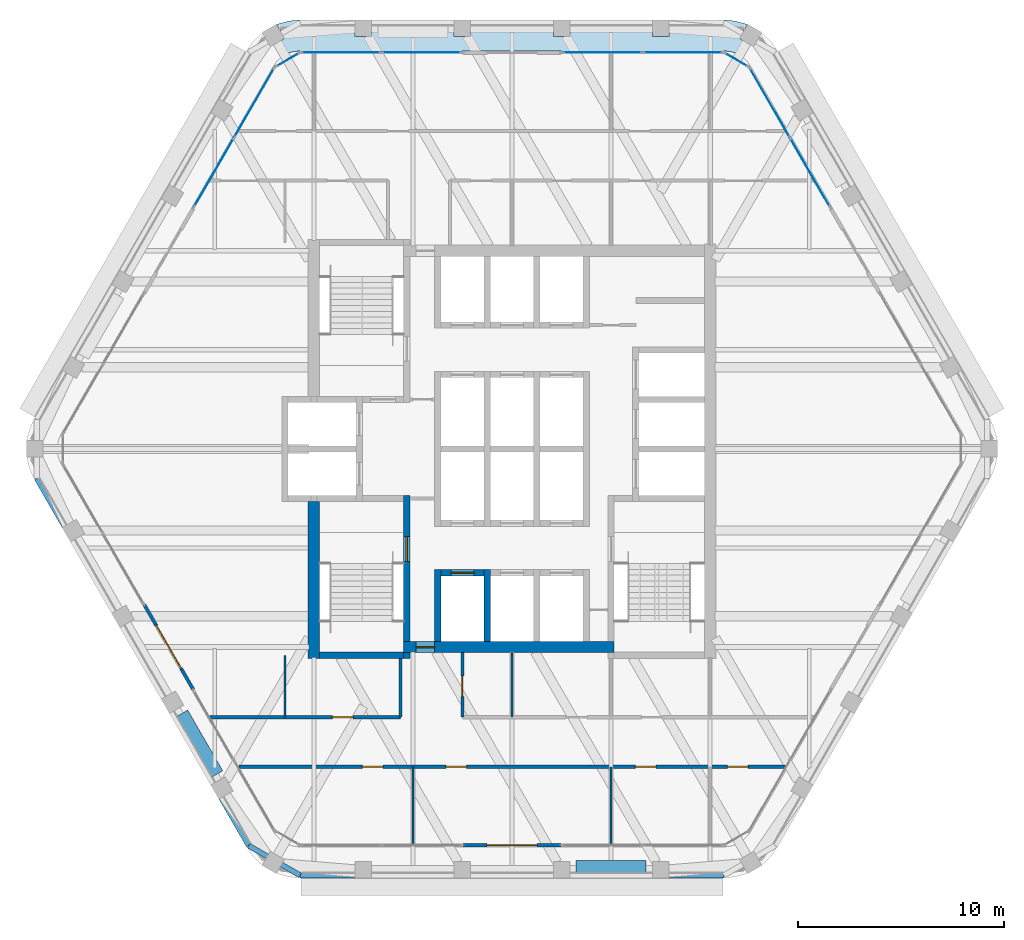
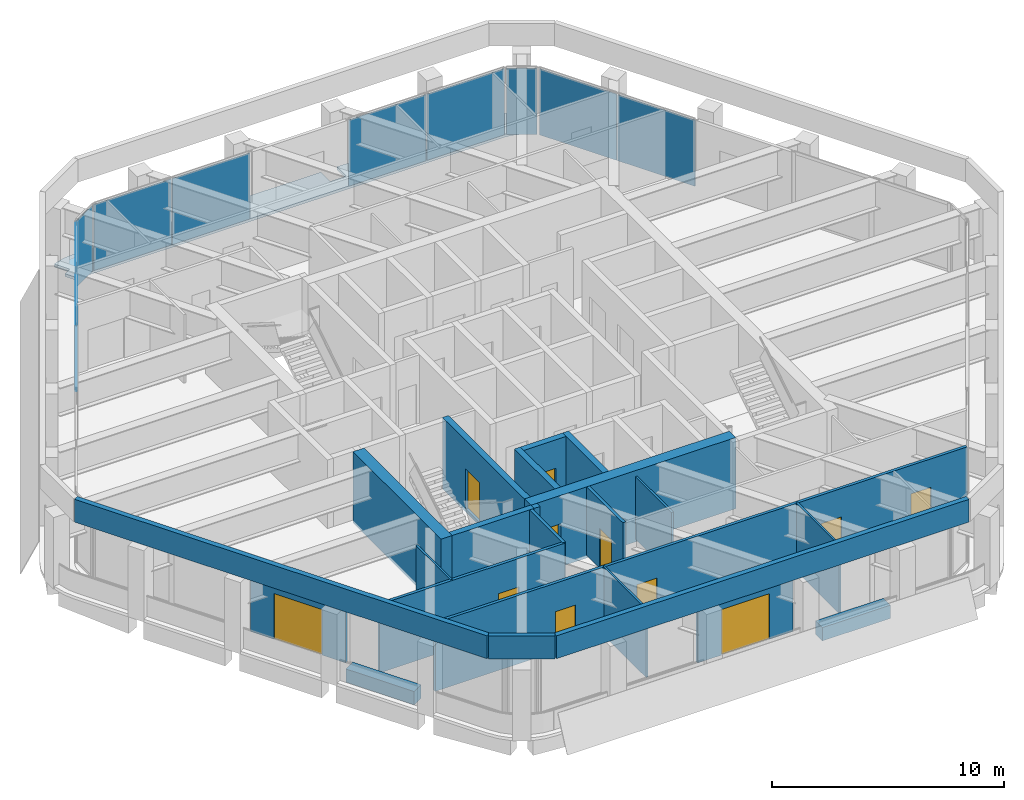
# One storey, part 7 of 14: 23 walls, 11 doors, 10 plates, 1 slab, 11 openings, 6 elements without a shape of their own.
"""IFC4 building model written with IfcOpenShell, lengths in metres."""

from ifc_helpers import new_model, si_unit, direction, frame, frame_2d, origin, origin_2d, place, context, subcontext, project, spatial, polyline, rectangle, outline, extrude, material, layer, layer_set, type_object, element, fill, aggregate, save


model = new_model("IFC4")

# Units and contexts
model_context = context("Model", 3, precision=1e-05, world=origin(), true_north=direction((0.0, 1.0)))
body_context = subcontext(model_context, "Body", "Model", "MODEL_VIEW")
ifc_project = project(units=[si_unit("LENGTHUNIT", "METRE"), si_unit("AREAUNIT", "SQUARE_METRE"), si_unit("VOLUMEUNIT", "CUBIC_METRE"), si_unit("PLANEANGLEUNIT", "RADIAN"), si_unit("MASSUNIT", "GRAM", prefix="KILO")], contexts=[model_context])

# Site, building, storey
site_placement = place(None, origin())
site = spatial("IfcSite", under=ifc_project, at=site_placement, CompositionType="ELEMENT")
building_placement = place(site_placement, origin())
building = spatial("IfcBuilding", under=site, at=building_placement, Name="Kolab Exchange Tower", CompositionType="ELEMENT")
storey_placement = place(building_placement, frame((0.0, 0.0, 293.0)))
storey = spatial("IfcBuildingStorey", under=building, at=storey_placement, Name="L66", CompositionType="ELEMENT", Elevation=293.0)

# Slab
ifc_material_1 = material(Name="Concrete C35/45", Category="concrete")
ifc_layer_1 = layer(ifc_material_1, 0.14990234375)
ifc_layer_set_1 = layer_set([ifc_layer_1], Name="Concrete C35/45")
slab_type = type_object("IfcSlabType", Name="LOGGIA SLAB 150", PredefinedType="FLOOR", material=ifc_layer_set_1)
slab_placement = place(storey_placement, frame((0.0, 0.0, -0.14990234375)))
element("IfcSlab", 1, at=slab_placement, inside=storey, type_object=slab_type, Name="slab/L66/loggia/0-0", PredefinedType="FLOOR", context=body_context, shape_type="SweptSolid", body=[
    extrude(outline(polyline([(11.01806640625, 19.083740234375), (11.367919921875, 19.68994140625), (11.021484375, 19.889892578125), (11.404052734375, 20.552490234375), (11.2939453125, 20.603759765625), (10.788818359375, 20.739013671875), (10.26806640625, 20.78466796875), (7.60009765625, 20.78466796875), (7.60009765625, 19.984619140625), (6.800048828125, 19.984619140625), (6.800048828125, 20.78466796875), (2.800048828125, 20.78466796875), (2.800048828125, 19.984619140625), (2.0, 19.984619140625), (2.0, 20.78466796875), (-2.0, 20.78466796875), (-2.0, 19.984619140625), (-2.800048828125, 19.984619140625), (-2.800048828125, 20.78466796875), (-6.800048828125, 20.78466796875), (-6.800048828125, 19.984619140625), (-7.60009765625, 19.984619140625), (-7.60009765625, 20.78466796875), (-10.26806640625, 20.78466796875), (-10.788818359375, 20.739013671875), (-11.2939453125, 20.603759765625), (-11.404052734375, 20.552490234375), (-11.021484375, 19.889892578125), (-11.367919921875, 19.68994140625), (-11.01806640625, 19.083740234375), (-10.781005859375, 19.194091796875), (-10.5283203125, 19.26171875), (-10.26806640625, 19.28466796875), (10.26806640625, 19.28466796875), (10.5283203125, 19.26171875), (10.781005859375, 19.194091796875), (11.01806640625, 19.083740234375)])), origin(), (0.0, 0.0, 1.0), 0.14990234375),
])

# Curtain wall, plates
ifc_material_2 = material(Name="Aluminium EN AW-6063 T6", Category="aluminium")
curtain_wall_type = type_object("IfcCurtainWallType", Name="UNITISED HIGH ZONE CURTAIN WALL", PredefinedType="NOTDEFINED", material=ifc_material_2)
curtain_wall_1_placement = place(storey_placement, origin())
curtain_wall_1 = element("IfcCurtainWall", 2, at=curtain_wall_1_placement, inside=storey, type_object=curtain_wall_type, Name="cw/L66/F1-1", PredefinedType="NOTDEFINED")
ifc_material_3 = material(Name="Clear insulated glazing unit", Category="glass")
ifc_layer_2 = layer(ifc_material_3, 0.030029296875)
ifc_layer_set_2 = layer_set([ifc_layer_2], Name="Clear insulated glazing unit")
plate_type = type_object("IfcPlateType", Name="UNITISED HIGH ZONE GLASS PANEL 30", PredefinedType="CURTAIN_PANEL", material=ifc_layer_set_2)
plate_1_placement = place(storey_placement, frame((-8.285888671875, 19.20458984375, 0.06005859375), z_axis=(0.0, 0.0, 1.0), x_axis=(1.0, 0.0, 0.0)))
plate_1 = element("IfcPlate", 3, at=plate_1_placement, type_object=plate_type, Name="CW4 panel 1.1", PredefinedType="CURTAIN_PANEL", context=body_context, shape_type="SweptSolid", body=[
    extrude(rectangle(XDim=3.843994140625, YDim=0.030029296875, at=origin_2d()), origin(), (0.0, 0.0, 1.0), 3.47998046875),
])
plate_2_placement = place(storey_placement, frame((-4.382080078125, 19.20458984375, 0.06005859375), z_axis=(0.0, 0.0, 1.0), x_axis=(1.0, 0.0, 0.0)))
plate_2 = element("IfcPlate", 4, at=plate_2_placement, type_object=plate_type, Name="CW4 panel 2.1", PredefinedType="CURTAIN_PANEL", context=body_context, shape_type="SweptSolid", body=[
    extrude(rectangle(XDim=3.843994140625, YDim=0.030029296875, at=origin_2d()), origin(), (0.0, 0.0, 1.0), 3.47998046875),
])
aggregate(curtain_wall_1, [plate_1, plate_2])

curtain_wall_2_placement = place(storey_placement, origin())
curtain_wall_2 = element("IfcCurtainWall", 5, at=curtain_wall_2_placement, inside=storey, type_object=curtain_wall_type, Name="cw/L66/F1-2", PredefinedType="NOTDEFINED")
plate_3_placement = place(storey_placement, frame((4.382080078125, 19.20458984375, 0.06005859375), z_axis=(0.0, 0.0, 1.0), x_axis=(1.0, 0.0, 0.0)))
plate_3 = element("IfcPlate", 6, at=plate_3_placement, type_object=plate_type, Name="CW4 panel 1.1", PredefinedType="CURTAIN_PANEL", context=body_context, shape_type="SweptSolid", body=[
    extrude(rectangle(XDim=3.843994140625, YDim=0.030029296875, at=origin_2d()), origin(), (0.0, 0.0, 1.0), 3.47998046875),
])
plate_4_placement = place(storey_placement, frame((8.285888671875, 19.20458984375, 0.06005859375), z_axis=(0.0, 0.0, 1.0), x_axis=(1.0, 0.0, 0.0)))
plate_4 = element("IfcPlate", 7, at=plate_4_placement, type_object=plate_type, Name="CW4 panel 2.1", PredefinedType="CURTAIN_PANEL", context=body_context, shape_type="SweptSolid", body=[
    extrude(rectangle(XDim=3.843994140625, YDim=0.030029296875, at=origin_2d()), origin(), (0.0, 0.0, 1.0), 3.47998046875),
])
aggregate(curtain_wall_2, [plate_3, plate_4])

curtain_wall_3_placement = place(storey_placement, origin())
curtain_wall_3 = element("IfcCurtainWall", 8, at=curtain_wall_3_placement, inside=storey, type_object=curtain_wall_type, Name="cw/L66/F2-1", PredefinedType="NOTDEFINED")
plate_5_placement = place(storey_placement, frame((12.48876953125, 16.778076171875, 0.06005859375), z_axis=(0.0, 0.0, 1.0), x_axis=(0.500000031681, -0.866025385493, 0.0)))
plate_5 = element("IfcPlate", 9, at=plate_5_placement, type_object=plate_type, Name="CW4 panel 1.1", PredefinedType="CURTAIN_PANEL", context=body_context, shape_type="SweptSolid", body=[
    extrude(rectangle(XDim=3.843994140625, YDim=0.030029296875, at=origin_2d()), origin(), (0.0, 0.0, 1.0), 3.47998046875),
])
plate_6_placement = place(storey_placement, frame((14.440673828125, 13.397216796875, 0.06005859375), z_axis=(0.0, 0.0, 1.0), x_axis=(0.500000031681, -0.866025385493, 0.0)))
plate_6 = element("IfcPlate", 10, at=plate_6_placement, type_object=plate_type, Name="CW4 panel 2.1", PredefinedType="CURTAIN_PANEL", context=body_context, shape_type="SweptSolid", body=[
    extrude(rectangle(XDim=3.843994140625, YDim=0.030029296875, at=origin_2d()), origin(), (0.0, 0.0, 1.0), 3.47998046875),
])
aggregate(curtain_wall_3, [plate_5, plate_6])

curtain_wall_4_placement = place(storey_placement, origin())
curtain_wall_4 = element("IfcCurtainWall", 11, at=curtain_wall_4_placement, inside=storey, type_object=curtain_wall_type, Name="cw/L66/F6-2", PredefinedType="NOTDEFINED")
plate_7_placement = place(storey_placement, frame((-14.440673828125, 13.397216796875, 0.06005859375), z_axis=(0.0, 0.0, 1.0), x_axis=(0.500000031681, 0.866025385493, 0.0)))
plate_7 = element("IfcPlate", 12, at=plate_7_placement, type_object=plate_type, Name="CW4 panel 1.1", PredefinedType="CURTAIN_PANEL", context=body_context, shape_type="SweptSolid", body=[
    extrude(rectangle(XDim=3.843994140625, YDim=0.030029296875, at=origin_2d()), origin(), (0.0, 0.0, 1.0), 3.47998046875),
])
plate_8_placement = place(storey_placement, frame((-12.48876953125, 16.778076171875, 0.06005859375), z_axis=(0.0, 0.0, 1.0), x_axis=(0.500000031681, 0.866025385493, 0.0)))
plate_8 = element("IfcPlate", 13, at=plate_8_placement, type_object=plate_type, Name="CW4 panel 2.1", PredefinedType="CURTAIN_PANEL", context=body_context, shape_type="SweptSolid", body=[
    extrude(rectangle(XDim=3.843994140625, YDim=0.030029296875, at=origin_2d()), origin(), (0.0, 0.0, 1.0), 3.47998046875),
])
aggregate(curtain_wall_4, [plate_7, plate_8])

# Curtain wall, plate
curtain_wall_5_placement = place(storey_placement, origin())
curtain_wall_5 = element("IfcCurtainWall", 14, at=curtain_wall_5_placement, inside=storey, type_object=curtain_wall_type, Name="cw/L66/F1F2-corner", PredefinedType="NOTDEFINED")
plate_9_placement = place(storey_placement, frame((10.8828125, 18.849609375, 0.06005859375), z_axis=(0.0, 0.0, 1.0), x_axis=(0.866025390869, -0.50000002237, 0.0)))
plate_9 = element("IfcPlate", 15, at=plate_9_placement, type_object=plate_type, Name="CW4 panel 1.1", PredefinedType="CURTAIN_PANEL", context=body_context, shape_type="SweptSolid", body=[
    extrude(rectangle(XDim=1.300048828125, YDim=0.030029296875, at=origin_2d()), origin(), (0.0, 0.0, 1.0), 3.47998046875),
])
aggregate(curtain_wall_5, [plate_9])

curtain_wall_6_placement = place(storey_placement, origin())
curtain_wall_6 = element("IfcCurtainWall", 16, at=curtain_wall_6_placement, inside=storey, type_object=curtain_wall_type, Name="cw/L66/F6F1-corner", PredefinedType="NOTDEFINED")
plate_10_placement = place(storey_placement, frame((-10.8828125, 18.849609375, 0.06005859375), z_axis=(0.0, 0.0, 1.0), x_axis=(0.866025390869, 0.50000002237, 0.0)))
plate_10 = element("IfcPlate", 17, at=plate_10_placement, type_object=plate_type, Name="CW4 panel 1.1", PredefinedType="CURTAIN_PANEL", context=body_context, shape_type="SweptSolid", body=[
    extrude(rectangle(XDim=1.300048828125, YDim=0.030029296875, at=origin_2d()), origin(), (0.0, 0.0, 1.0), 3.47998046875),
])
aggregate(curtain_wall_6, [plate_10])

# Wall, opening, door
ifc_material_4 = material(Name="Concrete C50/60", Category="concrete")
ifc_layer_3 = layer(ifc_material_4, 0.550048828125)
ifc_layer_set_3 = layer_set([ifc_layer_3], Name="Concrete C50/60")
wall_type_1 = type_object("IfcWallType", Name="CORE WALL 550 C50/60", PredefinedType="SHEAR", material=ifc_layer_set_3)
wall_1_placement = place(storey_placement, frame((-5.25, -9.60009765625, -0.14990234375), z_axis=(0.0, 0.0, 1.0), x_axis=(1.0, 0.0, 0.0)))
wall_1 = element("IfcWall", 18, at=wall_1_placement, inside=storey, type_object=wall_type_1, Name="wall/L66/core/002", PredefinedType="SHEAR", context=body_context, shape_type="SweptSolid", body=[
    extrude(rectangle(XDim=10.199951171875, YDim=0.550048828125, at=frame_2d((5.10009765625, 0.0))), origin(), (0.0, 0.0, 1.0), 3.75),
])
opening_1_placement = place(wall_1_placement, frame((0.60009765625, 0.0, 0.14990234375)))
opening_1 = element("IfcOpeningElement", 19, at=opening_1_placement, cuts=wall_1, Name="Opening D6-299", PredefinedType="OPENING", context=body_context, shape_type="SweptSolid", body=[
    extrude(rectangle(XDim=0.89990234375, YDim=2.10009765625, at=frame_2d((0.449951171875, 1.050048828125))), frame((0.0, 0.28515625, 0.0), z_axis=(0.0, -1.0, 0.0), x_axis=(1.0, 0.0, 0.0)), (0.0, 0.0, 1.0), 0.570068359375),
])
ifc_material_5 = material(Name="Steel S235", Category="steel")
door_type_1 = type_object("IfcDoorType", Name="CORE DOOR 900 EI 120", OperationType="SINGLE_SWING_LEFT", PredefinedType="DOOR", material=ifc_material_5)
door_1_placement = place(opening_1_placement, origin())
door_1 = element("IfcDoor", 20, at=door_1_placement, inside=storey, type_object=door_type_1, Name="Core lobby door", OperationType="SINGLE_SWING_RIGHT", OverallHeight=2.10009765625, OverallWidth=0.89990234375, PredefinedType="DOOR", context=body_context, shape_type="SweptSolid", body=[
    extrude(rectangle(XDim=0.89990234375, YDim=2.10009765625, at=frame_2d((0.449951171875, 1.050048828125))), frame((0.0, 0.02490234375, 0.0), z_axis=(0.0, -1.0, 0.0), x_axis=(1.0, 0.0, 0.0)), (0.0, 0.0, 1.0), 0.050048828125),
])
fill(opening_1, door_1)

# Wall
wall_2_placement = place(storey_placement, frame((-9.60009765625, -10.14990234375, -0.14990234375), z_axis=(0.0, 0.0, 1.0), x_axis=(0.0, 1.0, 0.0)))
element("IfcWall", 21, at=wall_2_placement, inside=storey, type_object=wall_type_1, Name="wall/L66/core/034", PredefinedType="SHEAR", context=body_context, shape_type="SweptSolid", body=[
    extrude(rectangle(XDim=7.599853515625, YDim=0.550048828125, at=frame_2d((3.7998046875, 0.0))), origin(), (0.0, 0.0, 1.0), 3.75),
])

# Wall, opening, door
ifc_layer_4 = layer(ifc_material_2, 0.159912109375)
ifc_layer_set_4 = layer_set([ifc_layer_4], Name="Aluminium EN AW-6063 T6")
wall_type_2 = type_object("IfcWallType", Name="DOOR SURROUND WALL 160 ALUMINIUM FRAMED", PredefinedType="PARTITIONING", material=ifc_layer_set_4)
wall_3_placement = place(storey_placement, frame((2.3701171875, -19.20458984375, 0.0), z_axis=(0.0, 0.0, 1.0), x_axis=(-1.0, 0.0, 0.0)))
wall_3 = element("IfcWall", 22, at=wall_3_placement, inside=storey, type_object=wall_type_2, Name="Door surround wall", PredefinedType="PARTITIONING", context=body_context, shape_type="SweptSolid", body=[
    extrude(rectangle(XDim=4.740234375, YDim=0.159912109375, at=frame_2d((2.3701171875, 0.0))), origin(), (0.0, 0.0, 1.0), 3.60009765625),
])
opening_2_placement = place(wall_3_placement, frame((1.169921875, 0.0, 0.0)))
opening_2 = element("IfcOpeningElement", 23, at=opening_2_placement, cuts=wall_3, Name="Opening GD1-101", PredefinedType="OPENING", context=body_context, shape_type="SweptSolid", body=[
    extrude(rectangle(XDim=2.39990234375, YDim=2.39990234375, at=frame_2d((1.199951171875, 1.199951171875))), frame((0.0, 0.08984375, 0.0), z_axis=(0.0, -1.0, 0.0), x_axis=(1.0, 0.0, 0.0)), (0.0, 0.0, 1.0), 0.179931640625),
])
door_type_2 = type_object("IfcDoorType", Name="LOGGIA SLIDING GLASS DOOR 2400 X 2400", OperationType="DOUBLE_DOOR_SINGLE_SWING", PredefinedType="DOOR", material=ifc_material_2)
door_2_placement = place(opening_2_placement, origin())
door_2 = element("IfcDoor", 24, at=door_2_placement, inside=storey, type_object=door_type_2, Name="Loggia door", OperationType="DOUBLE_DOOR_SLIDING", OverallHeight=2.39990234375, OverallWidth=2.39990234375, PredefinedType="DOOR", context=body_context, shape_type="SweptSolid", body=[
    extrude(rectangle(XDim=2.39990234375, YDim=2.39990234375, at=frame_2d((1.199951171875, 1.199951171875))), frame((0.0, 0.02490234375, 0.0), z_axis=(0.0, -1.0, 0.0), x_axis=(1.0, 0.0, 0.0)), (0.0, 0.0, 1.0), 0.050048828125),
])
fill(opening_2, door_2)

wall_4_placement = place(storey_placement, frame((-15.44677734375, -11.65478515625, 0.0), z_axis=(0.0, 0.0, 1.0), x_axis=(-0.499978080042, 0.866038058908, 0.0)))
wall_4 = element("IfcWall", 25, at=wall_4_placement, inside=storey, type_object=wall_type_2, Name="Door surround wall", PredefinedType="PARTITIONING", context=body_context, shape_type="SweptSolid", body=[
    extrude(rectangle(XDim=4.739990234375, YDim=0.159912109375, at=frame_2d((2.3701171875, 0.0))), origin(), (0.0, 0.0, 1.0), 3.60009765625),
])
opening_3_placement = place(wall_4_placement, frame((1.169921875, 0.0, 0.0)))
opening_3 = element("IfcOpeningElement", 26, at=opening_3_placement, cuts=wall_4, Name="Opening GD1-105", PredefinedType="OPENING", context=body_context, shape_type="SweptSolid", body=[
    extrude(rectangle(XDim=2.39990234375, YDim=2.39990234375, at=frame_2d((1.199951171875, 1.199951171875))), frame((0.0, 0.08984375, 0.0), z_axis=(0.0, -1.0, 0.0), x_axis=(1.0, 0.0, 0.0)), (0.0, 0.0, 1.0), 0.179931640625),
])
door_3_placement = place(opening_3_placement, origin())
door_3 = element("IfcDoor", 27, at=door_3_placement, inside=storey, type_object=door_type_2, Name="Loggia door", OperationType="DOUBLE_DOOR_SLIDING", OverallHeight=2.39990234375, OverallWidth=2.39990234375, PredefinedType="DOOR", context=body_context, shape_type="SweptSolid", body=[
    extrude(rectangle(XDim=2.39990234375, YDim=2.39990234375, at=frame_2d((1.199951171875, 1.199951171875))), frame((0.0, 0.02490234375, 0.0), z_axis=(0.0, -1.0, 0.0), x_axis=(1.0, 0.0, 0.0)), (0.0, 0.0, 1.0), 0.050048828125),
])
fill(opening_3, door_3)

ifc_layer_5 = layer(ifc_material_4, 0.300048828125)
ifc_layer_set_5 = layer_set([ifc_layer_5], Name="Concrete C50/60")
wall_type_3 = type_object("IfcWallType", Name="LIFT SHAFT WALL 300 C50/60", PredefinedType="STANDARD", material=ifc_layer_set_5)
wall_5_placement = place(storey_placement, frame((-3.449951171875, -6.0, -0.14990234375), z_axis=(0.0, 0.0, 1.0), x_axis=(1.0, 0.0, 0.0)))
wall_5 = element("IfcWall", 28, at=wall_5_placement, inside=storey, type_object=wall_type_3, Name="wall/L66/core/003", PredefinedType="STANDARD", context=body_context, shape_type="SweptSolid", body=[
    extrude(rectangle(XDim=2.099853515625, YDim=0.300048828125, at=frame_2d((1.0498046875, 0.0))), origin(), (0.0, 0.0, 1.0), 3.75),
])
opening_4_placement = place(wall_5_placement, frame((0.5, 0.0, 0.14990234375)))
opening_4 = element("IfcOpeningElement", 29, at=opening_4_placement, cuts=wall_5, Name="Opening LD1-122", PredefinedType="OPENING", context=body_context, shape_type="SweptSolid", body=[
    extrude(rectangle(XDim=1.10009765625, YDim=2.10009765625, at=frame_2d((0.550048828125, 1.050048828125))), frame((0.0, 0.16015625, 0.0), z_axis=(0.0, -1.0, 0.0), x_axis=(1.0, 0.0, 0.0)), (0.0, 0.0, 1.0), 0.320068359375),
])
ifc_material_6 = material(Name="Stainless steel 316", Category="steel")
door_type_3 = type_object("IfcDoorType", Name="LANDING DOOR 1100 PASSENGER", OperationType="DOUBLE_DOOR_SLIDING", PredefinedType="DOOR", material=ifc_material_6)
door_4_placement = place(opening_4_placement, origin())
door_4 = element("IfcDoor", 30, at=door_4_placement, inside=storey, type_object=door_type_3, Name="Landing door HR10", OperationType="DOUBLE_DOOR_SLIDING", OverallHeight=2.10009765625, OverallWidth=1.10009765625, PredefinedType="DOOR", context=body_context, shape_type="SweptSolid", body=[
    extrude(rectangle(XDim=1.10009765625, YDim=2.10009765625, at=frame_2d((0.550048828125, 1.050048828125))), frame((0.0, 0.02490234375, 0.0), z_axis=(0.0, -1.0, 0.0), x_axis=(1.0, 0.0, 0.0)), (0.0, 0.0, 1.0), 0.050048828125),
])
fill(opening_4, door_4)

# Walls
for number, where, z_axis, x_axis, name in (
    (31, (-3.60009765625, -9.324951171875, -0.14990234375), (0.0, 0.0, 1.0), (0.0, 1.0, 0.0), "wall/L66/core/043"),
    (32, (-1.199951171875, -9.324951171875, -0.14990234375), (0.0, 0.0, 1.0), (0.0, 1.0, 0.0), "wall/L66/core/046"),
):
    element("IfcWall", number, at=place(storey_placement, frame(where, z_axis=z_axis, x_axis=x_axis)), inside=storey, type_object=wall_type_3, Name=name, PredefinedType="STANDARD", context=body_context, shape_type="SweptSolid", body=[
        extrude(rectangle(XDim=3.474853515625, YDim=0.300048828125, at=frame_2d((1.7373046875, 0.0))), origin(), (0.0, 0.0, 1.0), 3.75),
    ])
ifc_material_7 = material(Name="Gypsum board", Category="gypsum")
ifc_layer_6 = layer(ifc_material_7, 0.10009765625)
ifc_layer_set_6 = layer_set([ifc_layer_6], Name="Gypsum board")
wall_type_4 = type_object("IfcWallType", Name="PARTITION 100", PredefinedType="PARTITIONING", material=ifc_layer_set_6)
wall_6_placement = place(storey_placement, frame((4.800048828125, -19.114501953125, 0.0), z_axis=(0.0, 0.0, 1.0), x_axis=(0.0, 1.0, 0.0)))
element("IfcWall", 33, at=wall_6_placement, inside=storey, type_object=wall_type_4, Name="Partition 004", PredefinedType="PARTITIONING", context=body_context, shape_type="SweptSolid", body=[
    extrude(rectangle(XDim=3.714599609375, YDim=0.10009765625, at=frame_2d((1.857421875, 0.0))), origin(), (0.0, 0.0, 1.0), 3.60009765625),
])
wall_7_placement = place(storey_placement, frame((0.0, -13.0, 0.0), z_axis=(0.0, 0.0, 1.0), x_axis=(0.0, 1.0, 0.0)))
element("IfcWall", 34, at=wall_7_placement, inside=storey, type_object=wall_type_4, Name="Partition 008", PredefinedType="PARTITIONING", context=body_context, shape_type="SweptSolid", body=[
    extrude(rectangle(XDim=3.125, YDim=0.10009765625, at=frame_2d((1.5625, 0.0))), origin(), (0.0, 0.0, 1.0), 3.2900390625),
])
wall_8_placement = place(storey_placement, frame((-4.800048828125, -19.114501953125, 0.0), z_axis=(0.0, 0.0, 1.0), x_axis=(0.0, 1.0, 0.0)))
element("IfcWall", 35, at=wall_8_placement, inside=storey, type_object=wall_type_4, Name="Partition 012", PredefinedType="PARTITIONING", context=body_context, shape_type="SweptSolid", body=[
    extrude(rectangle(XDim=3.714599609375, YDim=0.10009765625, at=frame_2d((1.857421875, 0.0))), origin(), (0.0, 0.0, 1.0), 3.60009765625),
])
wall_9_placement = place(storey_placement, frame((-11.0, -13.0, 0.0), z_axis=(0.0, 0.0, 1.0), x_axis=(0.0, 1.0, 0.0)))
element("IfcWall", 36, at=wall_9_placement, inside=storey, type_object=wall_type_4, Name="Partition 016", PredefinedType="PARTITIONING", context=body_context, shape_type="SweptSolid", body=[
    extrude(rectangle(XDim=3.0, YDim=0.10009765625, at=frame_2d((1.5, 0.0))), origin(), (0.0, 0.0, 1.0), 3.60009765625),
])

# Wall, opening, door
ifc_layer_7 = layer(ifc_material_7, 0.14990234375)
ifc_layer_set_7 = layer_set([ifc_layer_7], Name="Gypsum board")
wall_type_5 = type_object("IfcWallType", Name="PARTITION 150 FIRE-RATED", PredefinedType="PARTITIONING", material=ifc_layer_set_7)
wall_10_placement = place(storey_placement, frame((-2.39990234375, -13.0, 0.0), z_axis=(0.0, 0.0, 1.0), x_axis=(0.0, 1.0, 0.0)))
wall_10 = element("IfcWall", 37, at=wall_10_placement, inside=storey, type_object=wall_type_5, Name="Partition 010", PredefinedType="PARTITIONING", context=body_context, shape_type="SweptSolid", body=[
    extrude(rectangle(XDim=3.125, YDim=0.14990234375, at=frame_2d((1.5625, 0.0))), origin(), (0.0, 0.0, 1.0), 3.60009765625),
])
opening_5_placement = place(wall_10_placement, frame((1.0, 0.0, 0.0)))
opening_5 = element("IfcOpeningElement", 38, at=opening_5_placement, cuts=wall_10, Name="Opening D1-769", PredefinedType="OPENING", context=body_context, shape_type="SweptSolid", body=[
    extrude(rectangle(XDim=1.0, YDim=2.10009765625, at=frame_2d((0.5, 1.050048828125))), frame((0.0, 0.0849609375, 0.0), z_axis=(0.0, -1.0, 0.0), x_axis=(1.0, 0.0, 0.0)), (0.0, 0.0, 1.0), 0.169921875),
])
door_type_4 = type_object("IfcDoorType", Name="FLUSH DOOR 1000 FD60", OperationType="SINGLE_SWING_LEFT", PredefinedType="DOOR", material=ifc_material_5)
door_5_placement = place(opening_5_placement, frame((1.0, 0.0, 0.0), z_axis=(0.0, 0.0, 1.0), x_axis=(-1.0, 0.0, 0.0)))
door_5 = element("IfcDoor", 39, at=door_5_placement, inside=storey, type_object=door_type_4, Name="Door L66-035", OperationType="SINGLE_SWING_LEFT", OverallHeight=2.10009765625, OverallWidth=1.0, PredefinedType="DOOR", context=body_context, shape_type="SweptSolid", body=[
    extrude(rectangle(XDim=1.0, YDim=2.10009765625, at=frame_2d((0.5, 1.050048828125))), frame((0.0, 0.02490234375, 0.0), z_axis=(0.0, -1.0, 0.0), x_axis=(1.0, 0.0, 0.0)), (0.0, 0.0, 1.0), 0.050048828125),
])
fill(opening_5, door_5)

# Wall
wall_11_placement = place(storey_placement, frame((-5.39990234375, -13.0, 0.0), z_axis=(0.0, 0.0, 1.0), x_axis=(0.0, 1.0, 0.0)))
element("IfcWall", 40, at=wall_11_placement, inside=storey, type_object=wall_type_5, Name="Partition 013", PredefinedType="PARTITIONING", context=body_context, shape_type="SweptSolid", body=[
    extrude(rectangle(XDim=2.85009765625, YDim=0.14990234375, at=frame_2d((1.425048828125, 0.0))), origin(), (0.0, 0.0, 1.0), 3.60009765625),
])

# Wall, openings, doors
wall_12_placement = place(storey_placement, frame((-13.23828125, -15.39990234375, 0.0), z_axis=(0.0, 0.0, 1.0), x_axis=(1.0, 0.0, 0.0)))
wall_12 = element("IfcWall", 41, at=wall_12_placement, inside=storey, type_object=wall_type_5, Name="Partition 018", PredefinedType="PARTITIONING", context=body_context, shape_type="SweptSolid", body=[
    extrude(rectangle(XDim=26.4765625, YDim=0.14990234375, at=frame_2d((13.23828125, 0.0))), origin(), (0.0, 0.0, 1.0), 3.60009765625),
])
opening_6_placement = place(wall_12_placement, frame((5.98681640625, 0.0, 0.0)))
opening_6 = element("IfcOpeningElement", 42, at=opening_6_placement, cuts=wall_12, Name="Opening D1-777", PredefinedType="OPENING", context=body_context, shape_type="SweptSolid", body=[
    extrude(rectangle(XDim=1.0, YDim=2.10009765625, at=frame_2d((0.5, 1.050048828125))), frame((0.0, 0.0849609375, 0.0), z_axis=(0.0, -1.0, 0.0), x_axis=(1.0, 0.0, 0.0)), (0.0, 0.0, 1.0), 0.169921875),
])
opening_7_placement = place(wall_12_placement, frame((10.043212890625, 0.0, 0.0)))
opening_7 = element("IfcOpeningElement", 43, at=opening_7_placement, cuts=wall_12, Name="Opening D1-778", PredefinedType="OPENING", context=body_context, shape_type="SweptSolid", body=[
    extrude(rectangle(XDim=1.0, YDim=2.10009765625, at=frame_2d((0.5, 1.050048828125))), frame((0.0, 0.0849609375, 0.0), z_axis=(0.0, -1.0, 0.0), x_axis=(1.0, 0.0, 0.0)), (0.0, 0.0, 1.0), 0.169921875),
])
opening_8_placement = place(wall_12_placement, frame((19.213134765625, 0.0, 0.0)))
opening_8 = element("IfcOpeningElement", 44, at=opening_8_placement, cuts=wall_12, Name="Opening D1-779", PredefinedType="OPENING", context=body_context, shape_type="SweptSolid", body=[
    extrude(rectangle(XDim=1.0, YDim=2.10009765625, at=frame_2d((0.5, 1.050048828125))), frame((0.0, 0.0849609375, 0.0), z_axis=(0.0, -1.0, 0.0), x_axis=(1.0, 0.0, 0.0)), (0.0, 0.0, 1.0), 0.169921875),
])
opening_9_placement = place(wall_12_placement, frame((23.682373046875, 0.0, 0.0)))
opening_9 = element("IfcOpeningElement", 45, at=opening_9_placement, cuts=wall_12, Name="Opening D1-780", PredefinedType="OPENING", context=body_context, shape_type="SweptSolid", body=[
    extrude(rectangle(XDim=1.0, YDim=2.10009765625, at=frame_2d((0.5, 1.050048828125))), frame((0.0, 0.0849609375, 0.0), z_axis=(0.0, -1.0, 0.0), x_axis=(1.0, 0.0, 0.0)), (0.0, 0.0, 1.0), 0.169921875),
])
door_6_placement = place(opening_6_placement, frame((1.0, 0.0, 0.0), z_axis=(0.0, 0.0, 1.0), x_axis=(-1.0, 0.0, 0.0)))
door_6 = element("IfcDoor", 46, at=door_6_placement, inside=storey, type_object=door_type_4, Name="Door L66-043", OperationType="SINGLE_SWING_RIGHT", OverallHeight=2.10009765625, OverallWidth=1.0, PredefinedType="DOOR", context=body_context, shape_type="SweptSolid", body=[
    extrude(rectangle(XDim=1.0, YDim=2.10009765625, at=frame_2d((0.5, 1.050048828125))), frame((0.0, 0.02490234375, 0.0), z_axis=(0.0, -1.0, 0.0), x_axis=(1.0, 0.0, 0.0)), (0.0, 0.0, 1.0), 0.050048828125),
])
fill(opening_6, door_6)
door_7_placement = place(opening_7_placement, frame((1.0, 0.0, 0.0), z_axis=(0.0, 0.0, 1.0), x_axis=(-1.0, 0.0, 0.0)))
door_7 = element("IfcDoor", 47, at=door_7_placement, inside=storey, type_object=door_type_4, Name="Door L66-044", OperationType="SINGLE_SWING_LEFT", OverallHeight=2.10009765625, OverallWidth=1.0, PredefinedType="DOOR", context=body_context, shape_type="SweptSolid", body=[
    extrude(rectangle(XDim=1.0, YDim=2.10009765625, at=frame_2d((0.5, 1.050048828125))), frame((0.0, 0.02490234375, 0.0), z_axis=(0.0, -1.0, 0.0), x_axis=(1.0, 0.0, 0.0)), (0.0, 0.0, 1.0), 0.050048828125),
])
fill(opening_7, door_7)
door_8_placement = place(opening_8_placement, frame((1.0, 0.0, 0.0), z_axis=(0.0, 0.0, 1.0), x_axis=(-1.0, 0.0, 0.0)))
door_8 = element("IfcDoor", 48, at=door_8_placement, inside=storey, type_object=door_type_4, Name="Door L66-045", OperationType="SINGLE_SWING_LEFT", OverallHeight=2.10009765625, OverallWidth=1.0, PredefinedType="DOOR", context=body_context, shape_type="SweptSolid", body=[
    extrude(rectangle(XDim=1.0, YDim=2.10009765625, at=frame_2d((0.5, 1.050048828125))), frame((0.0, 0.02490234375, 0.0), z_axis=(0.0, -1.0, 0.0), x_axis=(1.0, 0.0, 0.0)), (0.0, 0.0, 1.0), 0.050048828125),
])
fill(opening_8, door_8)
door_9_placement = place(opening_9_placement, frame((1.0, 0.0, 0.0), z_axis=(0.0, 0.0, 1.0), x_axis=(-1.0, 0.0, 0.0)))
door_9 = element("IfcDoor", 49, at=door_9_placement, inside=storey, type_object=door_type_4, Name="Door L66-046", OperationType="SINGLE_SWING_LEFT", OverallHeight=2.10009765625, OverallWidth=1.0, PredefinedType="DOOR", context=body_context, shape_type="SweptSolid", body=[
    extrude(rectangle(XDim=1.0, YDim=2.10009765625, at=frame_2d((0.5, 1.050048828125))), frame((0.0, 0.02490234375, 0.0), z_axis=(0.0, -1.0, 0.0), x_axis=(1.0, 0.0, 0.0)), (0.0, 0.0, 1.0), 0.050048828125),
])
fill(opening_9, door_9)

# Wall, opening, door
wall_13_placement = place(storey_placement, frame((-14.623779296875, -13.0, 0.0), z_axis=(0.0, 0.0, 1.0), x_axis=(1.0, 0.0, 0.0)))
wall_13 = element("IfcWall", 50, at=wall_13_placement, inside=storey, type_object=wall_type_5, Name="Partition 019", PredefinedType="PARTITIONING", context=body_context, shape_type="SweptSolid", body=[
    extrude(rectangle(XDim=9.223876953125, YDim=0.14990234375, at=frame_2d((4.61181640625, 0.0))), origin(), (0.0, 0.0, 1.0), 3.60009765625),
])
opening_10_placement = place(wall_13_placement, frame((5.923828125, 0.0, 0.0)))
opening_10 = element("IfcOpeningElement", 51, at=opening_10_placement, cuts=wall_13, Name="Opening D1-772", PredefinedType="OPENING", context=body_context, shape_type="SweptSolid", body=[
    extrude(rectangle(XDim=1.0, YDim=2.10009765625, at=frame_2d((0.5, 1.050048828125))), frame((0.0, 0.0849609375, 0.0), z_axis=(0.0, -1.0, 0.0), x_axis=(1.0, 0.0, 0.0)), (0.0, 0.0, 1.0), 0.169921875),
])
door_10_placement = place(opening_10_placement, origin())
door_10 = element("IfcDoor", 52, at=door_10_placement, inside=storey, type_object=door_type_4, Name="Door L66-038", OperationType="SINGLE_SWING_RIGHT", OverallHeight=2.10009765625, OverallWidth=1.0, PredefinedType="DOOR", context=body_context, shape_type="SweptSolid", body=[
    extrude(rectangle(XDim=1.0, YDim=2.10009765625, at=frame_2d((0.5, 1.050048828125))), frame((0.0, 0.02490234375, 0.0), z_axis=(0.0, -1.0, 0.0), x_axis=(1.0, 0.0, 0.0)), (0.0, 0.0, 1.0), 0.050048828125),
])
fill(opening_10, door_10)

# Walls
ifc_material_8 = material(Name="Granite facing", Category="masonry")
ifc_layer_8 = layer(ifc_material_8, 0.0400390625)
ifc_material_9 = material(Name="Concrete C40/50 precast", Category="concrete")
ifc_layer_9 = layer(ifc_material_9, 0.56005859375)
ifc_layer_set_8 = layer_set([ifc_layer_8, ifc_layer_9], Name="Concrete C40/50 precast")
wall_type_6 = type_object("IfcWallType", Name="PLANTER BOX 600 X 700 SOIL DEPTH 550", PredefinedType="USERDEFINED", material=ifc_layer_set_8)
wall_14_placement = place(storey_placement, frame((6.5, -20.235107421875, 0.0), z_axis=(0.0, 0.0, 1.0), x_axis=(-1.0, 0.0, 0.0)))
element("IfcWall", 53, at=wall_14_placement, inside=storey, type_object=wall_type_6, Name="Planter", ObjectType="PLANTER", PredefinedType="USERDEFINED", context=body_context, shape_type="SweptSolid", body=[
    extrude(rectangle(XDim=3.39990234375, YDim=0.60009765625, at=frame_2d((1.699951171875, 0.0))), origin(), (0.0, 0.0, 1.0), 0.699951171875),
])
wall_15_placement = place(storey_placement, frame((-14.274169921875, -15.746826171875, 0.0), z_axis=(0.0, 0.0, 1.0), x_axis=(-0.499977295307, 0.866038511948, 0.0)))
element("IfcWall", 54, at=wall_15_placement, inside=storey, type_object=wall_type_6, Name="Planter", ObjectType="PLANTER", PredefinedType="USERDEFINED", context=body_context, shape_type="SweptSolid", body=[
    extrude(rectangle(XDim=3.400146484375, YDim=0.60009765625, at=frame_2d((1.7001953125, 0.0))), origin(), (0.0, 0.0, 1.0), 0.699951171875),
])
ifc_layer_10 = layer(ifc_material_8, 0.0400390625)
ifc_layer_11 = layer(ifc_material_9, 0.2099609375)
ifc_layer_set_9 = layer_set([ifc_layer_10, ifc_layer_11], Name="Concrete C40/50 precast")
wall_type_7 = type_object("IfcWallType", Name="ROOF PARAPET 250", PredefinedType="PARAPET", material=ifc_layer_set_9)
wall_16_placement = place(storey_placement, frame((10.26806640625, -20.65966796875, 3.89990234375), z_axis=(0.0, 0.0, 1.0), x_axis=(-1.0, 0.0, 0.0)))
element("IfcWall", 55, at=wall_16_placement, inside=storey, type_object=wall_type_7, Name="Roof parapet", PredefinedType="PARAPET", context=body_context, shape_type="SweptSolid", body=[
    extrude(rectangle(XDim=20.5361328125, YDim=0.25, at=frame_2d((10.26806640625, 0.0))), origin(), (0.0, 0.0, 1.0), 1.2001953125),
])
wall_17_placement = place(storey_placement, frame((-10.26806640625, -20.65966796875, 3.89990234375), z_axis=(0.0, 0.0, 1.0), x_axis=(-0.866018712932, 0.500011588718, 0.0)))
element("IfcWall", 56, at=wall_17_placement, inside=storey, type_object=wall_type_7, Name="Roof parapet", PredefinedType="PARAPET", context=body_context, shape_type="SweptSolid", body=[
    extrude(rectangle(XDim=2.875, YDim=0.25, at=frame_2d((1.4375, 0.0))), origin(), (0.0, 0.0, 1.0), 1.2001953125),
])
wall_18_placement = place(storey_placement, frame((-12.7578125, -19.22216796875, 3.89990234375), z_axis=(0.0, 0.0, 1.0), x_axis=(-0.499994135611, 0.866028789565, 0.0)))
element("IfcWall", 57, at=wall_18_placement, inside=storey, type_object=wall_type_7, Name="Roof parapet", PredefinedType="PARAPET", context=body_context, shape_type="SweptSolid", body=[
    extrude(rectangle(XDim=20.535888671875, YDim=0.25, at=frame_2d((10.26806640625, 0.0))), origin(), (0.0, 0.0, 1.0), 1.2001953125),
])
ifc_layer_12 = layer(ifc_material_4, 0.300048828125)
ifc_layer_set_10 = layer_set([ifc_layer_12], Name="Concrete C50/60")
wall_type_8 = type_object("IfcWallType", Name="STAIR ENCLOSURE WALL 300 C50/60", PredefinedType="STANDARD", material=ifc_layer_set_10)
wall_19_placement = place(storey_placement, frame((-9.324951171875, -10.0, -0.14990234375), z_axis=(0.0, 0.0, 1.0), x_axis=(1.0, 0.0, 0.0)))
element("IfcWall", 58, at=wall_19_placement, inside=storey, type_object=wall_type_8, Name="wall/L66/core/000", PredefinedType="STANDARD", context=body_context, shape_type="SweptSolid", body=[
    extrude(rectangle(XDim=4.074951171875, YDim=0.300048828125, at=frame_2d((2.03759765625, 0.0))), origin(), (0.0, 0.0, 1.0), 3.75),
])
wall_20_placement = place(storey_placement, frame((-5.10009765625, -10.14990234375, -0.14990234375), z_axis=(0.0, 0.0, 1.0), x_axis=(0.0, 1.0, 0.0)))
element("IfcWall", 59, at=wall_20_placement, inside=storey, type_object=wall_type_8, Name="wall/L66/core/039", PredefinedType="STANDARD", context=body_context, shape_type="SweptSolid", body=[
    extrude(rectangle(XDim=0.27490234375, YDim=0.300048828125, at=frame_2d((0.137451171875, 0.0))), origin(), (0.0, 0.0, 1.0), 3.75),
])

# Wall, opening, door
wall_21_placement = place(storey_placement, frame((-5.10009765625, -9.324951171875, -0.14990234375), z_axis=(0.0, 0.0, 1.0), x_axis=(0.0, 1.0, 0.0)))
wall_21 = element("IfcWall", 60, at=wall_21_placement, inside=storey, type_object=wall_type_8, Name="wall/L66/core/040", PredefinedType="STANDARD", context=body_context, shape_type="SweptSolid", body=[
    extrude(rectangle(XDim=7.074951171875, YDim=0.300048828125, at=frame_2d((3.53759765625, 0.0))), origin(), (0.0, 0.0, 1.0), 3.75),
])
opening_11_placement = place(wall_21_placement, frame((3.875, 0.0, 0.14990234375)))
opening_11 = element("IfcOpeningElement", 61, at=opening_11_placement, cuts=wall_21, Name="Opening D4-081", PredefinedType="OPENING", context=body_context, shape_type="SweptSolid", body=[
    extrude(rectangle(XDim=1.199951171875, YDim=2.10009765625, at=frame_2d((0.60009765625, 1.050048828125))), frame((0.0, 0.16015625, 0.0), z_axis=(0.0, -1.0, 0.0), x_axis=(1.0, 0.0, 0.0)), (0.0, 0.0, 1.0), 0.320068359375),
])
door_type_5 = type_object("IfcDoorType", Name="STAIR DOOR 1200 EI 120", OperationType="SINGLE_SWING_LEFT", PredefinedType="DOOR", material=ifc_material_5)
door_11_placement = place(opening_11_placement, origin())
door_11 = element("IfcDoor", 62, at=door_11_placement, inside=storey, type_object=door_type_5, Name="Stair 3 door", OperationType="SINGLE_SWING_RIGHT", OverallHeight=2.10009765625, OverallWidth=1.199951171875, PredefinedType="DOOR", context=body_context, shape_type="SweptSolid", body=[
    extrude(rectangle(XDim=1.199951171875, YDim=2.10009765625, at=frame_2d((0.60009765625, 1.050048828125))), frame((0.0, 0.02490234375, 0.0), z_axis=(0.0, -1.0, 0.0), x_axis=(1.0, 0.0, 0.0)), (0.0, 0.0, 1.0), 0.050048828125),
])
fill(opening_11, door_11)

save(model, "model.ifc")
